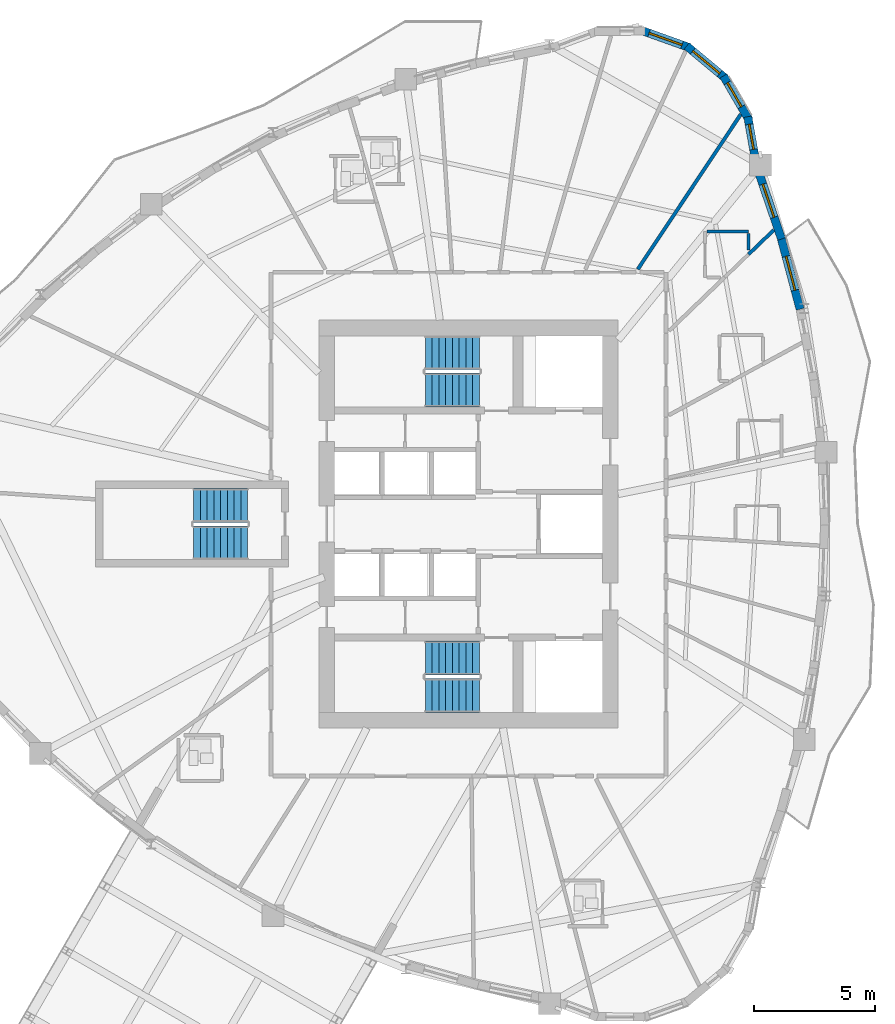
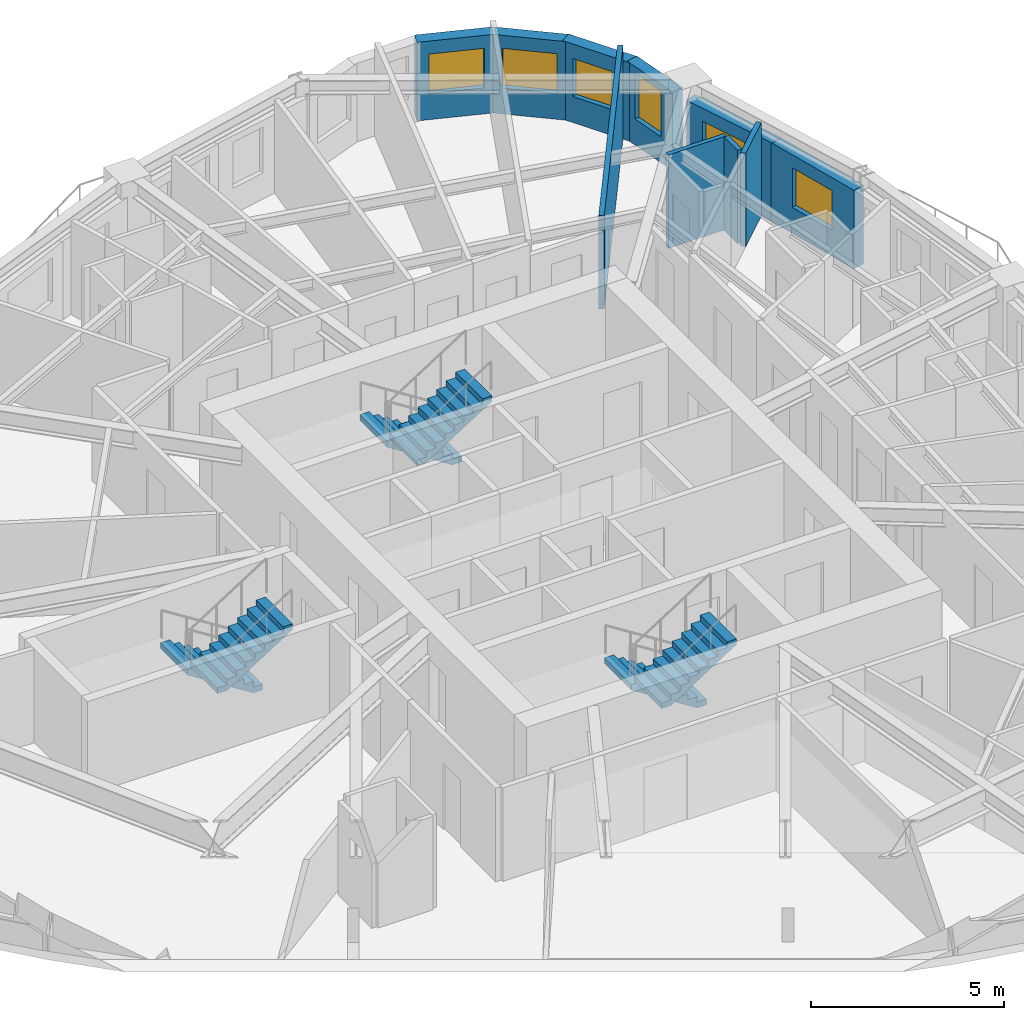
# One storey, part 11 of 17: 10 walls, 6 stair flights, 6 windows, 6 openings, 3 elements without a shape of their own.
"""IFC4 building model written with IfcOpenShell, lengths in metres."""

from ifc_helpers import new_model, si_unit, direction, frame, frame_2d, origin, place, context, subcontext, project, spatial, polyline, rectangle, outline, extrude, source, transform, mapped, material, layer, layer_set, type_object, element, fill, aggregate, save


model = new_model("IFC4")

# Units and contexts
model_context = context("Model", 3, precision=1e-05, world=origin(), true_north=direction((0.0, 1.0)))
body_context = subcontext(model_context, "Body", "Model", "MODEL_VIEW")
ifc_project = project(units=[si_unit("LENGTHUNIT", "METRE"), si_unit("AREAUNIT", "SQUARE_METRE"), si_unit("VOLUMEUNIT", "CUBIC_METRE"), si_unit("PLANEANGLEUNIT", "RADIAN"), si_unit("MASSUNIT", "GRAM", prefix="KILO")], contexts=[model_context])

# Site, building, storey
site_placement = place(None, origin())
site = spatial("IfcSite", under=ifc_project, at=site_placement, CompositionType="ELEMENT")
building_placement = place(site_placement, origin())
building = spatial("IfcBuilding", under=site, at=building_placement, Name="Qafzar Sky-Pleat Residences", CompositionType="ELEMENT")
storey_placement = place(building_placement, frame((0.0, 0.0, 115.199951171875)))
storey = spatial("IfcBuildingStorey", under=building, at=storey_placement, Name="L34", CompositionType="ELEMENT", Elevation=115.199951171875)

# Walls
ifc_material_1 = material(Name="Acoustic gypsum plasterboard partition", Category="gypsum")
ifc_layer_1 = layer(ifc_material_1, 0.14501953125)
ifc_layer_set_1 = layer_set([ifc_layer_1], Name="Acoustic gypsum plasterboard partition")
wall_type_1 = type_object("IfcWallType", Name="PART-UNIT-145", PredefinedType="PARTITIONING", material=ifc_layer_set_1)
wall_1_placement = place(storey_placement, frame((37.3662109375, 36.556884765625, 0.0), z_axis=(0.0, 0.0, 1.0), x_axis=(0.553463679146, 0.832873313215, 0.0)))
element("IfcWall", 1, at=wall_1_placement, inside=storey, type_object=wall_type_1, Name="L34 Partition Wall PART-L34-PW-040", PredefinedType="PARTITIONING", context=body_context, shape_type="SweptSolid", body=[
    extrude(rectangle(XDim=7.7041015625, YDim=0.14501953125, at=frame_2d((3.85205078125, 0.0))), origin(), (0.0, 0.0, 1.0), 2.949951171875),
])
wall_2_placement = place(storey_placement, frame((41.950927734375, 37.173095703125, 0.0), z_axis=(0.0, 0.0, 1.0), x_axis=(0.720559112487, 0.693393514111, 0.0)))
element("IfcWall", 2, at=wall_2_placement, inside=storey, type_object=wall_type_1, Name="L34 Partition Wall PART-L34-PW-073", PredefinedType="PARTITIONING", context=body_context, shape_type="SweptSolid", body=[
    extrude(rectangle(XDim=1.455810546875, YDim=0.14501953125, at=frame_2d((0.72802734375, 0.0))), origin(), (0.0, 0.0, 1.0), 2.949951171875),
])
ifc_material_2 = material(Name="Moisture-resistant gypsum partition", Category="gypsum")
ifc_layer_2 = layer(ifc_material_2, 0.1298828125)
ifc_layer_set_2 = layer_set([ifc_layer_2], Name="Moisture-resistant gypsum partition")
wall_type_2 = type_object("IfcWallType", Name="PART-WET-130", PredefinedType="PARTITIONING", material=ifc_layer_set_2)
wall_3_placement = place(storey_placement, frame((40.22412109375, 38.118896484375, 0.0), z_axis=(0.0, 0.0, 1.0), x_axis=(1.0, 0.0, 0.0)))
element("IfcWall", 3, at=wall_3_placement, inside=storey, type_object=wall_type_2, Name="L34 Partition Wall PART-L34-PW-061", PredefinedType="PARTITIONING", context=body_context, shape_type="SweptSolid", body=[
    extrude(rectangle(XDim=1.726806640625, YDim=0.1298828125, at=frame_2d((0.86328125, 0.0))), origin(), (0.0, 0.0, 1.0), 2.949951171875),
])
wall_4_placement = place(storey_placement, frame((41.950927734375, 37.34423828125, 0.0), z_axis=(0.0, 0.0, 1.0), x_axis=(0.0, 1.0, 0.0)))
element("IfcWall", 4, at=wall_4_placement, inside=storey, type_object=wall_type_2, Name="L34 Partition Wall PART-L34-PW-087", PredefinedType="PARTITIONING", context=body_context, shape_type="SweptSolid", body=[
    extrude(rectangle(XDim=0.70166015625, YDim=0.1298828125, at=frame_2d((0.350830078125, 0.0))), origin(), (0.0, 0.0, 1.0), 2.949951171875),
])

# Wall, opening, window
ifc_material_3 = material(Name="Precast concrete C40/50 with honed Riyadh limestone", Category="concrete")
ifc_layer_3 = layer(ifc_material_3, 0.340087890625)
ifc_layer_set_3 = layer_set([ifc_layer_3], Name="Precast concrete C40/50 with honed Riyadh limestone")
wall_type_3 = type_object("IfcWallType", Name="WALL-EXT-340", PredefinedType="SOLIDWALL", material=ifc_layer_set_3)
wall_5_placement = place(storey_placement, frame((44.089599609375, 34.90087890625, 0.0), z_axis=(0.0, 0.0, 1.0), x_axis=(-0.257108087637, 0.966382652613, 0.0)))
wall_5 = element("IfcWall", 5, at=wall_5_placement, inside=storey, type_object=wall_type_3, Name="L34 Limestone Facade Wall 31", PredefinedType="SOLIDWALL", context=body_context, shape_type="SweptSolid", body=[
    extrude(rectangle(XDim=3.096435546875, YDim=0.340087890625, at=frame_2d((1.54833984375, 0.0))), origin(), (0.0, 0.0, 1.0), 2.47998046875),
])
opening_1_placement = place(wall_5_placement, frame((0.813232421875, 0.0, 0.820068359375)))
opening_1 = element("IfcOpeningElement", 6, at=opening_1_placement, cuts=wall_5, Name="Opening WN-15", PredefinedType="OPENING", context=body_context, shape_type="SweptSolid", body=[
    extrude(rectangle(XDim=1.449951171875, YDim=1.25, at=frame_2d((0.72509765625, 0.625))), frame((0.0, 0.18017578125, 0.0), z_axis=(0.0, -1.0, 0.0), x_axis=(1.0, 0.0, 0.0)), (0.0, 0.0, 1.0), 0.360107421875),
])
ifc_material_4 = material(Name="Solar-control low-E glass in bronze aluminium frame", Category="glass")
window_type_1 = type_object("IfcWindowType", Name="WIN-15", PartitioningType="SINGLE_PANEL", PredefinedType="WINDOW", material=ifc_material_4)
shared_shape_1 = source(origin(), body_context, "Body", "SweptSolid", [
    extrude(rectangle(XDim=1.449951171875, YDim=1.25, at=frame_2d((0.72509765625, 0.625))), frame((0.0, 0.030029296875, 0.0), z_axis=(0.0, -1.0, 0.0), x_axis=(1.0, 0.0, 0.0)), (0.0, 0.0, 1.0), 0.06005859375),
])
window_1_placement = place(opening_1_placement, origin())
window_1 = element("IfcWindow", 7, at=window_1_placement, inside=storey, type_object=window_type_1, Name="L34 Punched Facade Window 31", OverallHeight=1.25, OverallWidth=1.449951171875, PartitioningType="SINGLE_PANEL", PredefinedType="WINDOW", context=body_context, shape_type="MappedRepresentation", body=[
    mapped(shared_shape_1, transform((0.0, 0.0, 0.0), x_axis=(1.0, 0.0, 0.0), y_axis=(0.0, 1.0, 0.0), z_axis=(0.0, 0.0, 1.0), scale=1.0)),
])
fill(opening_1, window_1)

wall_6_placement = place(storey_placement, frame((43.31884765625, 37.809326171875, 0.0), z_axis=(0.0, 0.0, 1.0), x_axis=(-0.323586371726, 0.946198636669, 0.0)))
wall_6 = element("IfcWall", 8, at=wall_6_placement, inside=storey, type_object=wall_type_3, Name="L34 Limestone Facade Wall 32", PredefinedType="SOLIDWALL", context=body_context, shape_type="SweptSolid", body=[
    extrude(rectangle(XDim=2.952392578125, YDim=0.340087890625, at=frame_2d((1.47607421875, 0.0))), origin(), (0.0, 0.0, 1.0), 2.47998046875),
])
opening_2_placement = place(wall_6_placement, frame((0.949462890625, 0.0, 0.820068359375)))
opening_2 = element("IfcOpeningElement", 9, at=opening_2_placement, cuts=wall_6, Name="Opening WN-15", PredefinedType="OPENING", context=body_context, shape_type="SweptSolid", body=[
    extrude(rectangle(XDim=1.449951171875, YDim=1.25, at=frame_2d((0.72509765625, 0.625))), frame((0.0, 0.18017578125, 0.0), z_axis=(0.0, -1.0, 0.0), x_axis=(1.0, 0.0, 0.0)), (0.0, 0.0, 1.0), 0.360107421875),
])
window_2_placement = place(opening_2_placement, origin())
window_2 = element("IfcWindow", 10, at=window_2_placement, inside=storey, type_object=window_type_1, Name="L34 Punched Facade Window 32-2", OverallHeight=1.25, OverallWidth=1.449951171875, PartitioningType="SINGLE_PANEL", PredefinedType="WINDOW", context=body_context, shape_type="MappedRepresentation", body=[
    mapped(shared_shape_1, transform((0.0, 0.0, 0.0), x_axis=(1.0, 0.0, 0.0), y_axis=(0.0, 1.0, 0.0), z_axis=(0.0, 0.0, 1.0), scale=1.0)),
])
fill(opening_2, window_2)

wall_7_placement = place(storey_placement, frame((42.242431640625, 41.072265625, 0.0), z_axis=(0.0, 0.0, 1.0), x_axis=(-0.17440141227, 0.984674640375, 0.0)))
wall_7 = element("IfcWall", 11, at=wall_7_placement, inside=storey, type_object=wall_type_3, Name="L34 Limestone Facade Wall 33", PredefinedType="SOLIDWALL", context=body_context, shape_type="SweptSolid", body=[
    extrude(rectangle(XDim=1.8310546875, YDim=0.340087890625, at=frame_2d((0.91552734375, 0.0))), origin(), (0.0, 0.0, 1.0), 2.47998046875),
])
opening_3_placement = place(wall_7_placement, frame((0.457275390625, 0.0, 0.820068359375)))
opening_3 = element("IfcOpeningElement", 12, at=opening_3_placement, cuts=wall_7, Name="Opening WN-06", PredefinedType="OPENING", context=body_context, shape_type="SweptSolid", body=[
    extrude(rectangle(XDim=1.050048828125, YDim=1.449951171875, at=frame_2d((0.52490234375, 0.72509765625))), frame((0.0, 0.18017578125, 0.0), z_axis=(0.0, -1.0, 0.0), x_axis=(1.0, 0.0, 0.0)), (0.0, 0.0, 1.0), 0.360107421875),
])
window_type_2 = type_object("IfcWindowType", Name="WIN-06", PartitioningType="SINGLE_PANEL", PredefinedType="WINDOW", material=ifc_material_4)
shared_shape_2 = source(origin(), body_context, "Body", "SweptSolid", [
    extrude(rectangle(XDim=1.050048828125, YDim=1.449951171875, at=frame_2d((0.52490234375, 0.72509765625))), frame((0.0, 0.030029296875, 0.0), z_axis=(0.0, -1.0, 0.0), x_axis=(1.0, 0.0, 0.0)), (0.0, 0.0, 1.0), 0.06005859375),
])
window_3_placement = place(opening_3_placement, origin())
window_3 = element("IfcWindow", 13, at=window_3_placement, inside=storey, type_object=window_type_2, Name="L34 Punched Facade Window 33", OverallHeight=1.449951171875, OverallWidth=1.050048828125, PartitioningType="SINGLE_PANEL", PredefinedType="WINDOW", context=body_context, shape_type="MappedRepresentation", body=[
    mapped(shared_shape_2, transform((0.0, 0.0, 0.0), x_axis=(1.0, 0.0, 0.0), y_axis=(0.0, 1.0, 0.0), z_axis=(0.0, 0.0, 1.0), scale=1.0)),
])
fill(opening_3, window_3)

wall_8_placement = place(storey_placement, frame((41.96923828125, 42.749267578125, 0.0), z_axis=(0.0, 0.0, 1.0), x_axis=(-0.501989603552, 0.864873654313, 0.0)))
wall_8 = element("IfcWall", 14, at=wall_8_placement, inside=storey, type_object=wall_type_3, Name="L34 Limestone Facade Wall 34", PredefinedType="SOLIDWALL", context=body_context, shape_type="SweptSolid", body=[
    extrude(rectangle(XDim=2.09912109375, YDim=0.340087890625, at=frame_2d((1.049560546875, 0.0))), origin(), (0.0, 0.0, 1.0), 2.47998046875),
])
opening_4_placement = place(wall_8_placement, frame((0.62158203125, 0.0, 0.820068359375)))
opening_4 = element("IfcOpeningElement", 15, at=opening_4_placement, cuts=wall_8, Name="Opening WN-16", PredefinedType="OPENING", context=body_context, shape_type="SweptSolid", body=[
    extrude(rectangle(XDim=1.14990234375, YDim=1.199951171875, at=frame_2d((0.574951171875, 0.60009765625))), frame((0.0, 0.18017578125, 0.0), z_axis=(0.0, -1.0, 0.0), x_axis=(1.0, 0.0, 0.0)), (0.0, 0.0, 1.0), 0.360107421875),
])
window_type_3 = type_object("IfcWindowType", Name="WIN-16", PartitioningType="SINGLE_PANEL", PredefinedType="WINDOW", material=ifc_material_4)
shared_shape_3 = source(origin(), body_context, "Body", "SweptSolid", [
    extrude(rectangle(XDim=1.14990234375, YDim=1.199951171875, at=frame_2d((0.574951171875, 0.60009765625))), frame((0.0, 0.030029296875, 0.0), z_axis=(0.0, -1.0, 0.0), x_axis=(1.0, 0.0, 0.0)), (0.0, 0.0, 1.0), 0.06005859375),
])
window_4_placement = place(opening_4_placement, origin())
window_4 = element("IfcWindow", 16, at=window_4_placement, inside=storey, type_object=window_type_3, Name="L34 Punched Facade Window 34", OverallHeight=1.199951171875, OverallWidth=1.14990234375, PartitioningType="SINGLE_PANEL", PredefinedType="WINDOW", context=body_context, shape_type="MappedRepresentation", body=[
    mapped(shared_shape_3, transform((0.0, 0.0, 0.0), x_axis=(1.0, 0.0, 0.0), y_axis=(0.0, 1.0, 0.0), z_axis=(0.0, 0.0, 1.0), scale=1.0)),
])
fill(opening_4, window_4)

wall_9_placement = place(storey_placement, frame((41.002197265625, 44.462158203125, 0.0), z_axis=(0.0, 0.0, 1.0), x_axis=(-0.768488123124, 0.639864051669, 0.0)))
wall_9 = element("IfcWall", 17, at=wall_9_placement, inside=storey, type_object=wall_type_3, Name="L34 Limestone Facade Wall 35", PredefinedType="SOLIDWALL", context=body_context, shape_type="SweptSolid", body=[
    extrude(rectangle(XDim=2.099365234375, YDim=0.340087890625, at=frame_2d((1.0498046875, 0.0))), origin(), (0.0, 0.0, 1.0), 2.47998046875),
])
opening_5_placement = place(wall_9_placement, frame((0.318603515625, 0.0, 0.820068359375)))
opening_5 = element("IfcOpeningElement", 18, at=opening_5_placement, cuts=wall_9, Name="Opening WN-15", PredefinedType="OPENING", context=body_context, shape_type="SweptSolid", body=[
    extrude(rectangle(XDim=1.449951171875, YDim=1.25, at=frame_2d((0.72509765625, 0.625))), frame((0.0, 0.18017578125, 0.0), z_axis=(0.0, -1.0, 0.0), x_axis=(1.0, 0.0, 0.0)), (0.0, 0.0, 1.0), 0.360107421875),
])
window_5_placement = place(opening_5_placement, origin())
window_5 = element("IfcWindow", 19, at=window_5_placement, inside=storey, type_object=window_type_1, Name="L34 Punched Facade Window 35", OverallHeight=1.25, OverallWidth=1.449951171875, PartitioningType="SINGLE_PANEL", PredefinedType="WINDOW", context=body_context, shape_type="MappedRepresentation", body=[
    mapped(shared_shape_1, transform((0.0, 0.0, 0.0), x_axis=(1.0, 0.0, 0.0), y_axis=(0.0, 1.0, 0.0), z_axis=(0.0, 0.0, 1.0), scale=1.0)),
])
fill(opening_5, window_5)

wall_10_placement = place(storey_placement, frame((39.505615234375, 45.73876953125, 0.0), z_axis=(0.0, 0.0, 1.0), x_axis=(-0.941486401639, 0.33705096874, 0.0)))
wall_10 = element("IfcWall", 20, at=wall_10_placement, inside=storey, type_object=wall_type_3, Name="L34 Limestone Facade Wall 36", PredefinedType="SOLIDWALL", context=body_context, shape_type="SweptSolid", body=[
    extrude(rectangle(XDim=2.09912109375, YDim=0.340087890625, at=frame_2d((1.049560546875, 0.0))), origin(), (0.0, 0.0, 1.0), 2.47998046875),
])
opening_6_placement = place(wall_10_placement, frame((0.326904296875, 0.0, 0.820068359375)))
opening_6 = element("IfcOpeningElement", 21, at=opening_6_placement, cuts=wall_10, Name="Opening WN-15", PredefinedType="OPENING", context=body_context, shape_type="SweptSolid", body=[
    extrude(rectangle(XDim=1.449951171875, YDim=1.25, at=frame_2d((0.72509765625, 0.625))), frame((0.0, 0.18017578125, 0.0), z_axis=(0.0, -1.0, 0.0), x_axis=(1.0, 0.0, 0.0)), (0.0, 0.0, 1.0), 0.360107421875),
])
window_6_placement = place(opening_6_placement, origin())
window_6 = element("IfcWindow", 22, at=window_6_placement, inside=storey, type_object=window_type_1, Name="L34 Punched Facade Window 36", OverallHeight=1.25, OverallWidth=1.449951171875, PartitioningType="SINGLE_PANEL", PredefinedType="WINDOW", context=body_context, shape_type="MappedRepresentation", body=[
    mapped(shared_shape_1, transform((0.0, 0.0, 0.0), x_axis=(1.0, 0.0, 0.0), y_axis=(0.0, 1.0, 0.0), z_axis=(0.0, 0.0, 1.0), scale=1.0)),
])
fill(opening_6, window_6)

# Stair, stair flights
ifc_material_5 = material(Name="Concrete C40/50", Category="concrete")
stair_type = type_object("IfcStairType", Name="STAIR-H320", PredefinedType="HALF_TURN_STAIR", material=ifc_material_5)
stair_1_placement = place(storey_placement, origin())
stair_1 = element("IfcStair", 23, at=stair_1_placement, inside=storey, type_object=stair_type, Name="L34 Protected Exit Stair ST1", PredefinedType="HALF_TURN_STAIR")
stair_flight_type = type_object("IfcStairFlightType", Name="FLIGHT-H320", PredefinedType="STRAIGHT", material=ifc_material_5)
shared_shape_4 = source(origin(), body_context, "Body", "SweptSolid", [
    extrude(outline(polyline([(0.0, 0.0), (0.0, 0.177734375), (0.280029296875, 0.177734375), (0.280029296875, 0.35546875), (0.56005859375, 0.35546875), (0.56005859375, 0.533447265625), (0.840087890625, 0.533447265625), (0.840087890625, 0.711181640625), (1.1201171875, 0.711181640625), (1.1201171875, 0.888916015625), (1.39990234375, 0.888916015625), (1.39990234375, 1.066650390625), (1.679931640625, 1.066650390625), (1.679931640625, 1.244384765625), (1.9599609375, 1.244384765625), (1.9599609375, 1.422119140625), (2.239990234375, 1.422119140625), (2.239990234375, 1.60009765625), (2.239990234375, 1.24462890625), (0.27978515625, 0.0), (0.0, 0.0)])), frame((0.0, 0.699951171875, 0.0), z_axis=(0.0, -1.0, 0.0), x_axis=(1.0, 0.0, 0.0)), (0.0, 0.0, 1.0), 1.39990234375),
])
stair_flight_1_placement = place(storey_placement, frame((30.800048828125, 20.449951171875, 0.0), z_axis=(0.0, 0.0, 1.0), x_axis=(-1.0, 0.0, 0.0)))
stair_flight_1 = element("IfcStairFlight", 24, at=stair_flight_1_placement, type_object=stair_flight_type, Name="ST1 flight 1", NumberOfRisers=9, NumberOfTreads=8, PredefinedType="STRAIGHT", RiserHeight=0.177777778, TreadLength=0.28, context=body_context, shape_type="MappedRepresentation", body=[
    mapped(shared_shape_4, transform((0.0, 0.0, 0.0), x_axis=(1.0, 0.0, 0.0), y_axis=(0.0, 1.0, 0.0), z_axis=(0.0, 0.0, 1.0), scale=1.0)),
])
stair_flight_2_placement = place(storey_placement, frame((28.56005859375, 18.89990234375, 1.60009765625), z_axis=(0.0, 0.0, 1.0), x_axis=(1.0, 0.0, 0.0)))
stair_flight_2 = element("IfcStairFlight", 25, at=stair_flight_2_placement, type_object=stair_flight_type, Name="ST1 flight 2", NumberOfRisers=9, NumberOfTreads=8, PredefinedType="STRAIGHT", RiserHeight=0.177777778, TreadLength=0.28, context=body_context, shape_type="MappedRepresentation", body=[
    mapped(shared_shape_4, transform((0.0, 0.0, 0.0), x_axis=(1.0, 0.0, 0.0), y_axis=(0.0, 1.0, 0.0), z_axis=(0.0, 0.0, 1.0), scale=1.0)),
])
aggregate(stair_1, [stair_flight_1, stair_flight_2])

stair_2_placement = place(storey_placement, origin())
stair_2 = element("IfcStair", 26, at=stair_2_placement, inside=storey, type_object=stair_type, Name="L34 Protected Exit Stair ST2", PredefinedType="HALF_TURN_STAIR")
stair_flight_3_placement = place(storey_placement, frame((30.800048828125, 33.10009765625, 0.0), z_axis=(0.0, 0.0, 1.0), x_axis=(-1.0, 0.0, 0.0)))
stair_flight_3 = element("IfcStairFlight", 27, at=stair_flight_3_placement, type_object=stair_flight_type, Name="ST2 flight 1", NumberOfRisers=9, NumberOfTreads=8, PredefinedType="STRAIGHT", RiserHeight=0.177777778, TreadLength=0.28, context=body_context, shape_type="MappedRepresentation", body=[
    mapped(shared_shape_4, transform((0.0, 0.0, 0.0), x_axis=(1.0, 0.0, 0.0), y_axis=(0.0, 1.0, 0.0), z_axis=(0.0, 0.0, 1.0), scale=1.0)),
])
stair_flight_4_placement = place(storey_placement, frame((28.56005859375, 31.550048828125, 1.60009765625), z_axis=(0.0, 0.0, 1.0), x_axis=(1.0, 0.0, 0.0)))
stair_flight_4 = element("IfcStairFlight", 28, at=stair_flight_4_placement, type_object=stair_flight_type, Name="ST2 flight 2", NumberOfRisers=9, NumberOfTreads=8, PredefinedType="STRAIGHT", RiserHeight=0.177777778, TreadLength=0.28, context=body_context, shape_type="MappedRepresentation", body=[
    mapped(shared_shape_4, transform((0.0, 0.0, 0.0), x_axis=(1.0, 0.0, 0.0), y_axis=(0.0, 1.0, 0.0), z_axis=(0.0, 0.0, 1.0), scale=1.0)),
])
aggregate(stair_2, [stair_flight_3, stair_flight_4])

stair_3_placement = place(storey_placement, origin())
stair_3 = element("IfcStair", 29, at=stair_3_placement, inside=storey, type_object=stair_type, Name="L34 Protected Exit Stair ST3", PredefinedType="HALF_TURN_STAIR")
stair_flight_5_placement = place(storey_placement, frame((21.199951171875, 26.77490234375, 0.0), z_axis=(0.0, 0.0, 1.0), x_axis=(-1.0, 0.0, 0.0)))
stair_flight_5 = element("IfcStairFlight", 30, at=stair_flight_5_placement, type_object=stair_flight_type, Name="ST3 flight 1", NumberOfRisers=9, NumberOfTreads=8, PredefinedType="STRAIGHT", RiserHeight=0.177777778, TreadLength=0.28, context=body_context, shape_type="MappedRepresentation", body=[
    mapped(shared_shape_4, transform((0.0, 0.0, 0.0), x_axis=(1.0, 0.0, 0.0), y_axis=(0.0, 1.0, 0.0), z_axis=(0.0, 0.0, 1.0), scale=1.0)),
])
stair_flight_6_placement = place(storey_placement, frame((18.9599609375, 25.22509765625, 1.60009765625), z_axis=(0.0, 0.0, 1.0), x_axis=(1.0, 0.0, 0.0)))
stair_flight_6 = element("IfcStairFlight", 31, at=stair_flight_6_placement, type_object=stair_flight_type, Name="ST3 flight 2", NumberOfRisers=9, NumberOfTreads=8, PredefinedType="STRAIGHT", RiserHeight=0.177777778, TreadLength=0.28, context=body_context, shape_type="MappedRepresentation", body=[
    mapped(shared_shape_4, transform((0.0, 0.0, 0.0), x_axis=(1.0, 0.0, 0.0), y_axis=(0.0, 1.0, 0.0), z_axis=(0.0, 0.0, 1.0), scale=1.0)),
])
aggregate(stair_3, [stair_flight_5, stair_flight_6])

save(model, "model.ifc")
